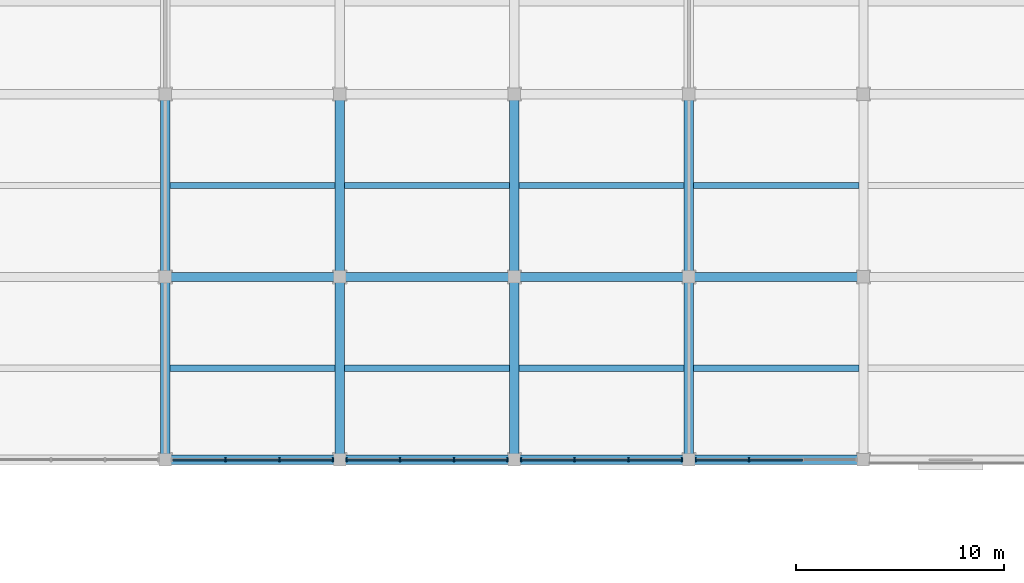
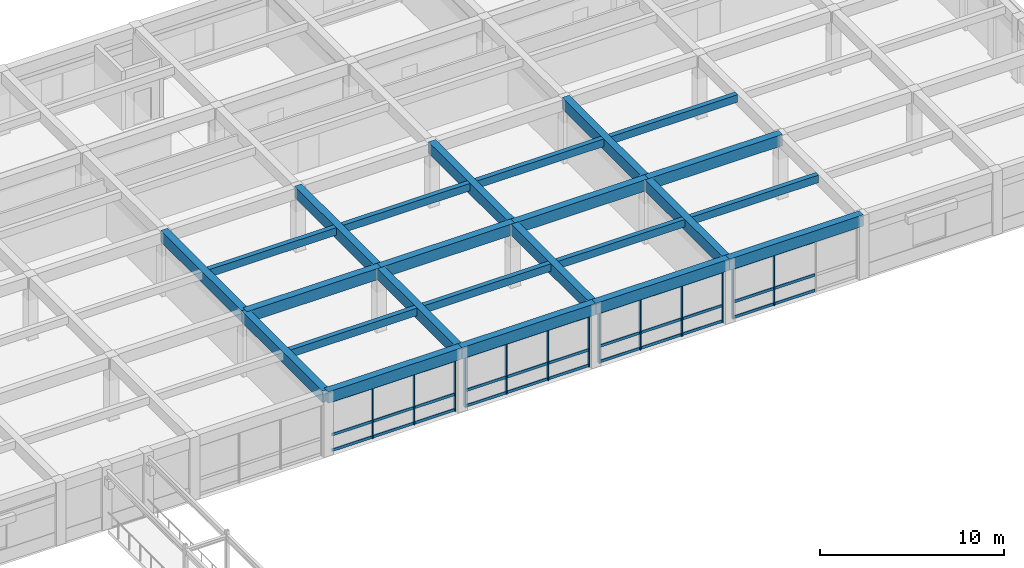
# One storey, part 18 of 57: 46 members, 24 beams, 4 elements without a shape of their own.
"""IFC4 building model written with IfcOpenShell, lengths in metres."""

from ifc_helpers import new_model, si_unit, direction, frame, origin, origin_2d, place, context, subcontext, project, spatial, rectangle, extrude, material, material_profile, profile_set, type_object, element, aggregate, save


model = new_model("IFC4")

# Units and contexts
model_context = context("Model", 3, precision=1e-05, world=origin(), true_north=direction((0.0, 1.0)))
body_context = subcontext(model_context, "Body", "Model", "MODEL_VIEW")
ifc_project = project(units=[si_unit("LENGTHUNIT", "METRE"), si_unit("AREAUNIT", "SQUARE_METRE"), si_unit("VOLUMEUNIT", "CUBIC_METRE"), si_unit("PLANEANGLEUNIT", "RADIAN"), si_unit("MASSUNIT", "GRAM", prefix="KILO")], contexts=[model_context])

# Site, building, storey
site_placement = place(None, origin())
site = spatial("IfcSite", under=ifc_project, at=site_placement, CompositionType="ELEMENT")
building_placement = place(site_placement, origin())
building = spatial("IfcBuilding", under=site, at=building_placement, Name="Kemercrest Conservatory and Botanical Centre", CompositionType="ELEMENT")
storey_placement = place(building_placement, frame((0.0, 0.0, 4.800048828125)))
storey = spatial("IfcBuildingStorey", under=building, at=storey_placement, Name="L01", CompositionType="ELEMENT", Elevation=4.800048828125)

# Beams
ifc_material_1 = material(Name="Concrete C40/50", Category="concrete")
ifc_material_profile_1 = material_profile(ifc_material_1, rectangle(XDim=0.449951171875, YDim=0.75, at=origin_2d()), Name="RC 450x750")
ifc_profile_set_1 = profile_set([ifc_material_profile_1], Name="Concrete C40/50")
beam_type_1 = type_object("IfcBeamType", Name="BM-RC75", PredefinedType="BEAM", material=ifc_profile_set_1)
for number, where, z_axis, x_axis, name in (
    (1, (41.60009765625, 96.0, 3.824951171875), (1.0, 0.0, 0.0), (0.0, 1.0, 0.0), "V3-L02 beam BM-RC75 L/05-06"),
    (2, (50.0, 96.0, 3.824951171875), (1.0, 0.0, 0.0), (0.0, 1.0, 0.0), "V3-L02 beam BM-RC75 L/06-07"),
):
    element("IfcBeam", number, at=place(storey_placement, frame(where, z_axis=z_axis, x_axis=x_axis)), inside=storey, type_object=beam_type_1, Name=name, PredefinedType="BEAM", context=body_context, shape_type="SweptSolid", body=[
        extrude(rectangle(XDim=0.449951171875, YDim=0.75, at=origin_2d()), origin(), (0.0, 0.0, 1.0), 8.39990234375),
    ])
beam_1_placement = place(storey_placement, frame((58.39990234375, 96.0, 3.824951171875), z_axis=(1.0, 0.0, 0.0), x_axis=(0.0, 1.0, 0.0)))
element("IfcBeam", 3, at=beam_1_placement, inside=storey, type_object=beam_type_1, Name="V3-L02 beam BM-RC75 L/07-08", PredefinedType="BEAM", context=body_context, shape_type="SweptSolid", body=[
    extrude(rectangle(XDim=0.449951171875, YDim=0.75, at=origin_2d()), origin(), (0.0, 0.0, 1.0), 8.400146484375),
])
beam_2_placement = place(storey_placement, frame((66.800048828125, 96.0, 3.824951171875), z_axis=(1.0, 0.0, 0.0), x_axis=(0.0, 1.0, 0.0)))
element("IfcBeam", 4, at=beam_2_placement, inside=storey, type_object=beam_type_1, Name="V3-L02 beam BM-RC75 L/08-09", PredefinedType="BEAM", context=body_context, shape_type="SweptSolid", body=[
    extrude(rectangle(XDim=0.449951171875, YDim=0.75, at=origin_2d()), origin(), (0.0, 0.0, 1.0), 8.39990234375),
])
for number, where, z_axis, x_axis, name in (
    (5, (41.60009765625, 87.199951171875, 3.824951171875), (0.0, 1.0, 0.0), (-1.0, 0.0, 0.0), "V3-L02 beam BM-RC75 05/K-L"),
    (6, (41.60009765625, 96.0, 3.824951171875), (0.0, 1.0, 0.0), (-1.0, 0.0, 0.0), "V3-L02 beam BM-RC75 05/L-M"),
    (7, (50.0, 87.199951171875, 3.824951171875), (0.0, 1.0, 0.0), (-1.0, 0.0, 0.0), "V3-L02 beam BM-RC75 06/K-L"),
    (8, (50.0, 96.0, 3.824951171875), (0.0, 1.0, 0.0), (-1.0, 0.0, 0.0), "V3-L02 beam BM-RC75 06/L-M"),
    (9, (58.39990234375, 87.199951171875, 3.824951171875), (0.0, 1.0, 0.0), (-1.0, 0.0, 0.0), "V3-L02 beam BM-RC75 07/K-L"),
    (10, (58.39990234375, 96.0, 3.824951171875), (0.0, 1.0, 0.0), (-1.0, 0.0, 0.0), "V3-L02 beam BM-RC75 07/L-M"),
    (11, (66.800048828125, 87.199951171875, 3.824951171875), (0.0, 1.0, 0.0), (-1.0, 0.0, 0.0), "V3-L02 beam BM-RC75 08/K-L"),
    (12, (66.800048828125, 96.0, 3.824951171875), (0.0, 1.0, 0.0), (-1.0, 0.0, 0.0), "V3-L02 beam BM-RC75 08/L-M"),
):
    element("IfcBeam", number, at=place(storey_placement, frame(where, z_axis=z_axis, x_axis=x_axis)), inside=storey, type_object=beam_type_1, Name=name, PredefinedType="BEAM", context=body_context, shape_type="SweptSolid", body=[
        extrude(rectangle(XDim=0.449951171875, YDim=0.75, at=origin_2d()), origin(), (0.0, 0.0, 1.0), 8.800048828125),
    ])

# Curtain wall, members
ifc_material_2 = material(Name="Thermally broken aluminium and triple low-e glazing", Category="aluminium")
curtain_wall_type_1 = type_object("IfcCurtainWallType", Name="CW-04", PredefinedType="USERDEFINED", material=ifc_material_2)
curtain_wall_1_placement = place(storey_placement, origin())
curtain_wall_1 = element("IfcCurtainWall", 13, at=curtain_wall_1_placement, inside=storey, type_object=curtain_wall_type_1, Name="Unitised curtain wall CW-04 (CW:L01:V3-033)", ObjectType="UNITISED CURTAIN WALL", PredefinedType="USERDEFINED")
ifc_material_3 = material(Name="Thermally broken anodized aluminium 6063-T6", Category="aluminium")
ifc_material_profile_2 = material_profile(ifc_material_3, rectangle(XDim=0.199951171875, YDim=0.06494140625, at=origin_2d()), Name="AL MULLION 65x200")
ifc_profile_set_2 = profile_set([ifc_material_profile_2], Name="Thermally broken anodized aluminium 6063-T6")
member_type_1 = type_object("IfcMemberType", Name="CW-M200", PredefinedType="MULLION", material=ifc_profile_set_2)
member_1_placement = place(storey_placement, frame((44.498291015625, 87.199951171875, 0.0), z_axis=(0.0, 0.0, 1.0), x_axis=(0.0, 1.0, 0.0)))
member_1 = element("IfcMember", 14, at=member_1_placement, type_object=member_type_1, Name="CW-04 mullion 2", PredefinedType="MULLION", context=body_context, shape_type="SweptSolid", body=[
    extrude(rectangle(XDim=0.199951171875, YDim=0.06494140625, at=origin_2d()), origin(), (0.0, 0.0, 1.0), 3.454833984375),
])
member_2_placement = place(storey_placement, frame((47.1015625, 87.199951171875, 0.0), z_axis=(0.0, 0.0, 1.0), x_axis=(0.0, 1.0, 0.0)))
member_2 = element("IfcMember", 15, at=member_2_placement, type_object=member_type_1, Name="CW-04 mullion 3", PredefinedType="MULLION", context=body_context, shape_type="SweptSolid", body=[
    extrude(rectangle(XDim=0.199951171875, YDim=0.06494140625, at=origin_2d()), origin(), (0.0, 0.0, 1.0), 3.454833984375),
])
member_3_placement = place(storey_placement, frame((49.672607421875, 87.199951171875, 0.0), z_axis=(0.0, 0.0, 1.0), x_axis=(0.0, 1.0, 0.0)))
member_3 = element("IfcMember", 16, at=member_3_placement, type_object=member_type_1, Name="CW-04 mullion 4", PredefinedType="MULLION", context=body_context, shape_type="SweptSolid", body=[
    extrude(rectangle(XDim=0.199951171875, YDim=0.06494140625, at=origin_2d()), origin(), (0.0, 0.0, 1.0), 3.454833984375),
])

curtain_wall_type_2 = type_object("IfcCurtainWallType", Name="CW-05", PredefinedType="USERDEFINED", material=ifc_material_2)
curtain_wall_2_placement = place(storey_placement, origin())
curtain_wall_2 = element("IfcCurtainWall", 17, at=curtain_wall_2_placement, inside=storey, type_object=curtain_wall_type_2, Name="Unitised curtain wall CW-05 (CW:L01:V3-034)", ObjectType="UNITISED CURTAIN WALL", PredefinedType="USERDEFINED")
member_4_placement = place(storey_placement, frame((50.327392578125, 87.199951171875, 0.0), z_axis=(0.0, 0.0, 1.0), x_axis=(0.0, 1.0, 0.0)))
member_4 = element("IfcMember", 18, at=member_4_placement, type_object=member_type_1, Name="CW-05 mullion 1", PredefinedType="MULLION", context=body_context, shape_type="SweptSolid", body=[
    extrude(rectangle(XDim=0.199951171875, YDim=0.06494140625, at=origin_2d()), origin(), (0.0, 0.0, 1.0), 3.454833984375),
])
member_5_placement = place(storey_placement, frame((52.8984375, 87.199951171875, 0.0), z_axis=(0.0, 0.0, 1.0), x_axis=(0.0, 1.0, 0.0)))
member_5 = element("IfcMember", 19, at=member_5_placement, type_object=member_type_1, Name="CW-05 mullion 2", PredefinedType="MULLION", context=body_context, shape_type="SweptSolid", body=[
    extrude(rectangle(XDim=0.199951171875, YDim=0.06494140625, at=origin_2d()), origin(), (0.0, 0.0, 1.0), 3.454833984375),
])
member_6_placement = place(storey_placement, frame((55.501708984375, 87.199951171875, 0.0), z_axis=(0.0, 0.0, 1.0), x_axis=(0.0, 1.0, 0.0)))
member_6 = element("IfcMember", 20, at=member_6_placement, type_object=member_type_1, Name="CW-05 mullion 3", PredefinedType="MULLION", context=body_context, shape_type="SweptSolid", body=[
    extrude(rectangle(XDim=0.199951171875, YDim=0.06494140625, at=origin_2d()), origin(), (0.0, 0.0, 1.0), 3.454833984375),
])
member_7_placement = place(storey_placement, frame((58.072509765625, 87.199951171875, 0.0), z_axis=(0.0, 0.0, 1.0), x_axis=(0.0, 1.0, 0.0)))
member_7 = element("IfcMember", 21, at=member_7_placement, type_object=member_type_1, Name="CW-05 mullion 4", PredefinedType="MULLION", context=body_context, shape_type="SweptSolid", body=[
    extrude(rectangle(XDim=0.199951171875, YDim=0.06494140625, at=origin_2d()), origin(), (0.0, 0.0, 1.0), 3.454833984375),
])

curtain_wall_type_3 = type_object("IfcCurtainWallType", Name="CW-06", PredefinedType="USERDEFINED", material=ifc_material_2)
curtain_wall_3_placement = place(storey_placement, origin())
curtain_wall_3 = element("IfcCurtainWall", 22, at=curtain_wall_3_placement, inside=storey, type_object=curtain_wall_type_3, Name="Unitised curtain wall CW-06 (CW:L01:V3-035)", ObjectType="UNITISED CURTAIN WALL", PredefinedType="USERDEFINED")
member_8_placement = place(storey_placement, frame((58.7275390625, 87.199951171875, 0.0), z_axis=(0.0, 0.0, 1.0), x_axis=(0.0, 1.0, 0.0)))
member_8 = element("IfcMember", 23, at=member_8_placement, type_object=member_type_1, Name="CW-06 mullion 1", PredefinedType="MULLION", context=body_context, shape_type="SweptSolid", body=[
    extrude(rectangle(XDim=0.199951171875, YDim=0.06494140625, at=origin_2d()), origin(), (0.0, 0.0, 1.0), 3.454833984375),
])
member_9_placement = place(storey_placement, frame((61.29833984375, 87.199951171875, 0.0), z_axis=(0.0, 0.0, 1.0), x_axis=(0.0, 1.0, 0.0)))
member_9 = element("IfcMember", 24, at=member_9_placement, type_object=member_type_1, Name="CW-06 mullion 2", PredefinedType="MULLION", context=body_context, shape_type="SweptSolid", body=[
    extrude(rectangle(XDim=0.199951171875, YDim=0.06494140625, at=origin_2d()), origin(), (0.0, 0.0, 1.0), 3.454833984375),
])
member_10_placement = place(storey_placement, frame((63.901611328125, 87.199951171875, 0.0), z_axis=(0.0, 0.0, 1.0), x_axis=(0.0, 1.0, 0.0)))
member_10 = element("IfcMember", 25, at=member_10_placement, type_object=member_type_1, Name="CW-06 mullion 3", PredefinedType="MULLION", context=body_context, shape_type="SweptSolid", body=[
    extrude(rectangle(XDim=0.199951171875, YDim=0.06494140625, at=origin_2d()), origin(), (0.0, 0.0, 1.0), 3.454833984375),
])
member_11_placement = place(storey_placement, frame((66.472412109375, 87.199951171875, 0.0), z_axis=(0.0, 0.0, 1.0), x_axis=(0.0, 1.0, 0.0)))
member_11 = element("IfcMember", 26, at=member_11_placement, type_object=member_type_1, Name="CW-06 mullion 4", PredefinedType="MULLION", context=body_context, shape_type="SweptSolid", body=[
    extrude(rectangle(XDim=0.199951171875, YDim=0.06494140625, at=origin_2d()), origin(), (0.0, 0.0, 1.0), 3.454833984375),
])

curtain_wall_type_4 = type_object("IfcCurtainWallType", Name="CW-07", PredefinedType="USERDEFINED", material=ifc_material_2)
curtain_wall_4_placement = place(storey_placement, origin())
curtain_wall_4 = element("IfcCurtainWall", 27, at=curtain_wall_4_placement, inside=storey, type_object=curtain_wall_type_4, Name="Unitised curtain wall CW-07 (CW:L01:V3-036)", ObjectType="UNITISED CURTAIN WALL", PredefinedType="USERDEFINED")
member_12_placement = place(storey_placement, frame((67.12744140625, 87.199951171875, 0.0), z_axis=(0.0, 0.0, 1.0), x_axis=(0.0, 1.0, 0.0)))
member_12 = element("IfcMember", 28, at=member_12_placement, type_object=member_type_1, Name="CW-07 mullion 1", PredefinedType="MULLION", context=body_context, shape_type="SweptSolid", body=[
    extrude(rectangle(XDim=0.199951171875, YDim=0.06494140625, at=origin_2d()), origin(), (0.0, 0.0, 1.0), 3.454833984375),
])
member_13_placement = place(storey_placement, frame((69.6982421875, 87.199951171875, 0.0), z_axis=(0.0, 0.0, 1.0), x_axis=(0.0, 1.0, 0.0)))
member_13 = element("IfcMember", 29, at=member_13_placement, type_object=member_type_1, Name="CW-07 mullion 2", PredefinedType="MULLION", context=body_context, shape_type="SweptSolid", body=[
    extrude(rectangle(XDim=0.199951171875, YDim=0.06494140625, at=origin_2d()), origin(), (0.0, 0.0, 1.0), 3.454833984375),
])

# Member
ifc_material_profile_3 = material_profile(ifc_material_3, rectangle(XDim=0.074951171875, YDim=0.179931640625, at=origin_2d()), Name="AL TRANSOM 75x180")
ifc_profile_set_3 = profile_set([ifc_material_profile_3], Name="Thermally broken anodized aluminium 6063-T6")
member_type_2 = type_object("IfcMemberType", Name="CW-T180", PredefinedType="USERDEFINED", material=ifc_profile_set_3)
member_14_placement = place(storey_placement, frame((41.9599609375, 87.199951171875, 0.08984375), z_axis=(1.0, 0.0, 0.0), x_axis=(0.0, 1.0, 0.0)))
member_14 = element("IfcMember", 30, at=member_14_placement, type_object=member_type_2, Name="CW-04 transom 1.1", ObjectType="TRANSOM", PredefinedType="USERDEFINED", context=body_context, shape_type="SweptSolid", body=[
    extrude(rectangle(XDim=0.074951171875, YDim=0.179931640625, at=origin_2d()), origin(), (0.0, 0.0, 1.0), 2.505859375),
])

member_15_placement = place(storey_placement, frame((41.9599609375, 87.199951171875, 1.119873046875), z_axis=(1.0, 0.0, 0.0), x_axis=(0.0, 1.0, 0.0)))
member_15 = element("IfcMember", 31, at=member_15_placement, type_object=member_type_2, Name="CW-04 transom 1.2", ObjectType="TRANSOM", PredefinedType="USERDEFINED", context=body_context, shape_type="SweptSolid", body=[
    extrude(rectangle(XDim=0.074951171875, YDim=0.179931640625, at=origin_2d()), origin(), (0.0, 0.0, 1.0), 2.505859375),
])

member_16_placement = place(storey_placement, frame((41.9599609375, 87.199951171875, 3.364990234375), z_axis=(1.0, 0.0, 0.0), x_axis=(0.0, 1.0, 0.0)))
member_16 = element("IfcMember", 32, at=member_16_placement, type_object=member_type_2, Name="CW-04 transom 1.3", ObjectType="TRANSOM", PredefinedType="USERDEFINED", context=body_context, shape_type="SweptSolid", body=[
    extrude(rectangle(XDim=0.074951171875, YDim=0.179931640625, at=origin_2d()), origin(), (0.0, 0.0, 1.0), 2.505859375),
])

member_17_placement = place(storey_placement, frame((44.53076171875, 87.199951171875, 0.08984375), z_axis=(1.0, 0.0, 0.0), x_axis=(0.0, 1.0, 0.0)))
member_17 = element("IfcMember", 33, at=member_17_placement, type_object=member_type_2, Name="CW-04 transom 2.1", ObjectType="TRANSOM", PredefinedType="USERDEFINED", context=body_context, shape_type="SweptSolid", body=[
    extrude(rectangle(XDim=0.074951171875, YDim=0.179931640625, at=origin_2d()), origin(), (0.0, 0.0, 1.0), 2.538330078125),
])

member_18_placement = place(storey_placement, frame((44.53076171875, 87.199951171875, 1.119873046875), z_axis=(1.0, 0.0, 0.0), x_axis=(0.0, 1.0, 0.0)))
member_18 = element("IfcMember", 34, at=member_18_placement, type_object=member_type_2, Name="CW-04 transom 2.2", ObjectType="TRANSOM", PredefinedType="USERDEFINED", context=body_context, shape_type="SweptSolid", body=[
    extrude(rectangle(XDim=0.074951171875, YDim=0.179931640625, at=origin_2d()), origin(), (0.0, 0.0, 1.0), 2.538330078125),
])

member_19_placement = place(storey_placement, frame((44.53076171875, 87.199951171875, 3.364990234375), z_axis=(1.0, 0.0, 0.0), x_axis=(0.0, 1.0, 0.0)))
member_19 = element("IfcMember", 35, at=member_19_placement, type_object=member_type_2, Name="CW-04 transom 2.3", ObjectType="TRANSOM", PredefinedType="USERDEFINED", context=body_context, shape_type="SweptSolid", body=[
    extrude(rectangle(XDim=0.074951171875, YDim=0.179931640625, at=origin_2d()), origin(), (0.0, 0.0, 1.0), 2.538330078125),
])

member_20_placement = place(storey_placement, frame((47.13427734375, 87.199951171875, 0.08984375), z_axis=(1.0, 0.0, 0.0), x_axis=(0.0, 1.0, 0.0)))
member_20 = element("IfcMember", 36, at=member_20_placement, type_object=member_type_2, Name="CW-04 transom 3.1", ObjectType="TRANSOM", PredefinedType="USERDEFINED", context=body_context, shape_type="SweptSolid", body=[
    extrude(rectangle(XDim=0.074951171875, YDim=0.179931640625, at=origin_2d()), origin(), (0.0, 0.0, 1.0), 2.505615234375),
])

member_21_placement = place(storey_placement, frame((47.13427734375, 87.199951171875, 1.119873046875), z_axis=(1.0, 0.0, 0.0), x_axis=(0.0, 1.0, 0.0)))
member_21 = element("IfcMember", 37, at=member_21_placement, type_object=member_type_2, Name="CW-04 transom 3.2", ObjectType="TRANSOM", PredefinedType="USERDEFINED", context=body_context, shape_type="SweptSolid", body=[
    extrude(rectangle(XDim=0.074951171875, YDim=0.179931640625, at=origin_2d()), origin(), (0.0, 0.0, 1.0), 2.505615234375),
])

member_22_placement = place(storey_placement, frame((47.13427734375, 87.199951171875, 3.364990234375), z_axis=(1.0, 0.0, 0.0), x_axis=(0.0, 1.0, 0.0)))
member_22 = element("IfcMember", 38, at=member_22_placement, type_object=member_type_2, Name="CW-04 transom 3.3", ObjectType="TRANSOM", PredefinedType="USERDEFINED", context=body_context, shape_type="SweptSolid", body=[
    extrude(rectangle(XDim=0.074951171875, YDim=0.179931640625, at=origin_2d()), origin(), (0.0, 0.0, 1.0), 2.505615234375),
])

aggregate(curtain_wall_1, [member_1, member_2, member_3, member_14, member_15, member_16, member_17, member_18, member_19, member_20, member_21, member_22])

member_23_placement = place(storey_placement, frame((50.360107421875, 87.199951171875, 0.08984375), z_axis=(1.0, 0.0, 0.0), x_axis=(0.0, 1.0, 0.0)))
member_23 = element("IfcMember", 39, at=member_23_placement, type_object=member_type_2, Name="CW-05 transom 1.1", ObjectType="TRANSOM", PredefinedType="USERDEFINED", context=body_context, shape_type="SweptSolid", body=[
    extrude(rectangle(XDim=0.074951171875, YDim=0.179931640625, at=origin_2d()), origin(), (0.0, 0.0, 1.0), 2.505615234375),
])

member_24_placement = place(storey_placement, frame((50.360107421875, 87.199951171875, 1.119873046875), z_axis=(1.0, 0.0, 0.0), x_axis=(0.0, 1.0, 0.0)))
member_24 = element("IfcMember", 40, at=member_24_placement, type_object=member_type_2, Name="CW-05 transom 1.2", ObjectType="TRANSOM", PredefinedType="USERDEFINED", context=body_context, shape_type="SweptSolid", body=[
    extrude(rectangle(XDim=0.074951171875, YDim=0.179931640625, at=origin_2d()), origin(), (0.0, 0.0, 1.0), 2.505615234375),
])

member_25_placement = place(storey_placement, frame((50.360107421875, 87.199951171875, 3.364990234375), z_axis=(1.0, 0.0, 0.0), x_axis=(0.0, 1.0, 0.0)))
member_25 = element("IfcMember", 41, at=member_25_placement, type_object=member_type_2, Name="CW-05 transom 1.3", ObjectType="TRANSOM", PredefinedType="USERDEFINED", context=body_context, shape_type="SweptSolid", body=[
    extrude(rectangle(XDim=0.074951171875, YDim=0.179931640625, at=origin_2d()), origin(), (0.0, 0.0, 1.0), 2.505615234375),
])

member_26_placement = place(storey_placement, frame((52.930908203125, 87.199951171875, 0.08984375), z_axis=(1.0, 0.0, 0.0), x_axis=(0.0, 1.0, 0.0)))
member_26 = element("IfcMember", 42, at=member_26_placement, type_object=member_type_2, Name="CW-05 transom 2.1", ObjectType="TRANSOM", PredefinedType="USERDEFINED", context=body_context, shape_type="SweptSolid", body=[
    extrude(rectangle(XDim=0.074951171875, YDim=0.179931640625, at=origin_2d()), origin(), (0.0, 0.0, 1.0), 2.538330078125),
])

member_27_placement = place(storey_placement, frame((52.930908203125, 87.199951171875, 1.119873046875), z_axis=(1.0, 0.0, 0.0), x_axis=(0.0, 1.0, 0.0)))
member_27 = element("IfcMember", 43, at=member_27_placement, type_object=member_type_2, Name="CW-05 transom 2.2", ObjectType="TRANSOM", PredefinedType="USERDEFINED", context=body_context, shape_type="SweptSolid", body=[
    extrude(rectangle(XDim=0.074951171875, YDim=0.179931640625, at=origin_2d()), origin(), (0.0, 0.0, 1.0), 2.538330078125),
])

member_28_placement = place(storey_placement, frame((52.930908203125, 87.199951171875, 3.364990234375), z_axis=(1.0, 0.0, 0.0), x_axis=(0.0, 1.0, 0.0)))
member_28 = element("IfcMember", 44, at=member_28_placement, type_object=member_type_2, Name="CW-05 transom 2.3", ObjectType="TRANSOM", PredefinedType="USERDEFINED", context=body_context, shape_type="SweptSolid", body=[
    extrude(rectangle(XDim=0.074951171875, YDim=0.179931640625, at=origin_2d()), origin(), (0.0, 0.0, 1.0), 2.538330078125),
])

member_29_placement = place(storey_placement, frame((55.5341796875, 87.199951171875, 0.08984375), z_axis=(1.0, 0.0, 0.0), x_axis=(0.0, 1.0, 0.0)))
member_29 = element("IfcMember", 45, at=member_29_placement, type_object=member_type_2, Name="CW-05 transom 3.1", ObjectType="TRANSOM", PredefinedType="USERDEFINED", context=body_context, shape_type="SweptSolid", body=[
    extrude(rectangle(XDim=0.074951171875, YDim=0.179931640625, at=origin_2d()), origin(), (0.0, 0.0, 1.0), 2.505859375),
])

member_30_placement = place(storey_placement, frame((55.5341796875, 87.199951171875, 1.119873046875), z_axis=(1.0, 0.0, 0.0), x_axis=(0.0, 1.0, 0.0)))
member_30 = element("IfcMember", 46, at=member_30_placement, type_object=member_type_2, Name="CW-05 transom 3.2", ObjectType="TRANSOM", PredefinedType="USERDEFINED", context=body_context, shape_type="SweptSolid", body=[
    extrude(rectangle(XDim=0.074951171875, YDim=0.179931640625, at=origin_2d()), origin(), (0.0, 0.0, 1.0), 2.505859375),
])

member_31_placement = place(storey_placement, frame((55.5341796875, 87.199951171875, 3.364990234375), z_axis=(1.0, 0.0, 0.0), x_axis=(0.0, 1.0, 0.0)))
member_31 = element("IfcMember", 47, at=member_31_placement, type_object=member_type_2, Name="CW-05 transom 3.3", ObjectType="TRANSOM", PredefinedType="USERDEFINED", context=body_context, shape_type="SweptSolid", body=[
    extrude(rectangle(XDim=0.074951171875, YDim=0.179931640625, at=origin_2d()), origin(), (0.0, 0.0, 1.0), 2.505859375),
])

aggregate(curtain_wall_2, [member_4, member_5, member_6, member_7, member_23, member_24, member_25, member_26, member_27, member_28, member_29, member_30, member_31])

member_32_placement = place(storey_placement, frame((58.760009765625, 87.199951171875, 0.08984375), z_axis=(1.0, 0.0, 0.0), x_axis=(0.0, 1.0, 0.0)))
member_32 = element("IfcMember", 48, at=member_32_placement, type_object=member_type_2, Name="CW-06 transom 1.1", ObjectType="TRANSOM", PredefinedType="USERDEFINED", context=body_context, shape_type="SweptSolid", body=[
    extrude(rectangle(XDim=0.074951171875, YDim=0.179931640625, at=origin_2d()), origin(), (0.0, 0.0, 1.0), 2.505859375),
])

member_33_placement = place(storey_placement, frame((58.760009765625, 87.199951171875, 1.119873046875), z_axis=(1.0, 0.0, 0.0), x_axis=(0.0, 1.0, 0.0)))
member_33 = element("IfcMember", 49, at=member_33_placement, type_object=member_type_2, Name="CW-06 transom 1.2", ObjectType="TRANSOM", PredefinedType="USERDEFINED", context=body_context, shape_type="SweptSolid", body=[
    extrude(rectangle(XDim=0.074951171875, YDim=0.179931640625, at=origin_2d()), origin(), (0.0, 0.0, 1.0), 2.505859375),
])

member_34_placement = place(storey_placement, frame((58.760009765625, 87.199951171875, 3.364990234375), z_axis=(1.0, 0.0, 0.0), x_axis=(0.0, 1.0, 0.0)))
member_34 = element("IfcMember", 50, at=member_34_placement, type_object=member_type_2, Name="CW-06 transom 1.3", ObjectType="TRANSOM", PredefinedType="USERDEFINED", context=body_context, shape_type="SweptSolid", body=[
    extrude(rectangle(XDim=0.074951171875, YDim=0.179931640625, at=origin_2d()), origin(), (0.0, 0.0, 1.0), 2.505859375),
])

member_35_placement = place(storey_placement, frame((61.330810546875, 87.199951171875, 0.08984375), z_axis=(1.0, 0.0, 0.0), x_axis=(0.0, 1.0, 0.0)))
member_35 = element("IfcMember", 51, at=member_35_placement, type_object=member_type_2, Name="CW-06 transom 2.1", ObjectType="TRANSOM", PredefinedType="USERDEFINED", context=body_context, shape_type="SweptSolid", body=[
    extrude(rectangle(XDim=0.074951171875, YDim=0.179931640625, at=origin_2d()), origin(), (0.0, 0.0, 1.0), 2.538330078125),
])

member_36_placement = place(storey_placement, frame((61.330810546875, 87.199951171875, 1.119873046875), z_axis=(1.0, 0.0, 0.0), x_axis=(0.0, 1.0, 0.0)))
member_36 = element("IfcMember", 52, at=member_36_placement, type_object=member_type_2, Name="CW-06 transom 2.2", ObjectType="TRANSOM", PredefinedType="USERDEFINED", context=body_context, shape_type="SweptSolid", body=[
    extrude(rectangle(XDim=0.074951171875, YDim=0.179931640625, at=origin_2d()), origin(), (0.0, 0.0, 1.0), 2.538330078125),
])

member_37_placement = place(storey_placement, frame((61.330810546875, 87.199951171875, 3.364990234375), z_axis=(1.0, 0.0, 0.0), x_axis=(0.0, 1.0, 0.0)))
member_37 = element("IfcMember", 53, at=member_37_placement, type_object=member_type_2, Name="CW-06 transom 2.3", ObjectType="TRANSOM", PredefinedType="USERDEFINED", context=body_context, shape_type="SweptSolid", body=[
    extrude(rectangle(XDim=0.074951171875, YDim=0.179931640625, at=origin_2d()), origin(), (0.0, 0.0, 1.0), 2.538330078125),
])

member_38_placement = place(storey_placement, frame((63.93408203125, 87.199951171875, 0.08984375), z_axis=(1.0, 0.0, 0.0), x_axis=(0.0, 1.0, 0.0)))
member_38 = element("IfcMember", 54, at=member_38_placement, type_object=member_type_2, Name="CW-06 transom 3.1", ObjectType="TRANSOM", PredefinedType="USERDEFINED", context=body_context, shape_type="SweptSolid", body=[
    extrude(rectangle(XDim=0.074951171875, YDim=0.179931640625, at=origin_2d()), origin(), (0.0, 0.0, 1.0), 2.505859375),
])

member_39_placement = place(storey_placement, frame((63.93408203125, 87.199951171875, 1.119873046875), z_axis=(1.0, 0.0, 0.0), x_axis=(0.0, 1.0, 0.0)))
member_39 = element("IfcMember", 55, at=member_39_placement, type_object=member_type_2, Name="CW-06 transom 3.2", ObjectType="TRANSOM", PredefinedType="USERDEFINED", context=body_context, shape_type="SweptSolid", body=[
    extrude(rectangle(XDim=0.074951171875, YDim=0.179931640625, at=origin_2d()), origin(), (0.0, 0.0, 1.0), 2.505859375),
])

member_40_placement = place(storey_placement, frame((63.93408203125, 87.199951171875, 3.364990234375), z_axis=(1.0, 0.0, 0.0), x_axis=(0.0, 1.0, 0.0)))
member_40 = element("IfcMember", 56, at=member_40_placement, type_object=member_type_2, Name="CW-06 transom 3.3", ObjectType="TRANSOM", PredefinedType="USERDEFINED", context=body_context, shape_type="SweptSolid", body=[
    extrude(rectangle(XDim=0.074951171875, YDim=0.179931640625, at=origin_2d()), origin(), (0.0, 0.0, 1.0), 2.505859375),
])

aggregate(curtain_wall_3, [member_8, member_9, member_10, member_11, member_32, member_33, member_34, member_35, member_36, member_37, member_38, member_39, member_40])

member_41_placement = place(storey_placement, frame((67.159912109375, 87.199951171875, 0.08984375), z_axis=(1.0, 0.0, 0.0), x_axis=(0.0, 1.0, 0.0)))
member_41 = element("IfcMember", 57, at=member_41_placement, type_object=member_type_2, Name="CW-07 transom 1.1", ObjectType="TRANSOM", PredefinedType="USERDEFINED", context=body_context, shape_type="SweptSolid", body=[
    extrude(rectangle(XDim=0.074951171875, YDim=0.179931640625, at=origin_2d()), origin(), (0.0, 0.0, 1.0), 2.505859375),
])

member_42_placement = place(storey_placement, frame((67.159912109375, 87.199951171875, 1.119873046875), z_axis=(1.0, 0.0, 0.0), x_axis=(0.0, 1.0, 0.0)))
member_42 = element("IfcMember", 58, at=member_42_placement, type_object=member_type_2, Name="CW-07 transom 1.2", ObjectType="TRANSOM", PredefinedType="USERDEFINED", context=body_context, shape_type="SweptSolid", body=[
    extrude(rectangle(XDim=0.074951171875, YDim=0.179931640625, at=origin_2d()), origin(), (0.0, 0.0, 1.0), 2.505859375),
])

member_43_placement = place(storey_placement, frame((67.159912109375, 87.199951171875, 3.364990234375), z_axis=(1.0, 0.0, 0.0), x_axis=(0.0, 1.0, 0.0)))
member_43 = element("IfcMember", 59, at=member_43_placement, type_object=member_type_2, Name="CW-07 transom 1.3", ObjectType="TRANSOM", PredefinedType="USERDEFINED", context=body_context, shape_type="SweptSolid", body=[
    extrude(rectangle(XDim=0.074951171875, YDim=0.179931640625, at=origin_2d()), origin(), (0.0, 0.0, 1.0), 2.505859375),
])

member_44_placement = place(storey_placement, frame((69.730712890625, 87.199951171875, 0.08984375), z_axis=(1.0, 0.0, 0.0), x_axis=(0.0, 1.0, 0.0)))
member_44 = element("IfcMember", 60, at=member_44_placement, type_object=member_type_2, Name="CW-07 transom 2.1", ObjectType="TRANSOM", PredefinedType="USERDEFINED", context=body_context, shape_type="SweptSolid", body=[
    extrude(rectangle(XDim=0.074951171875, YDim=0.179931640625, at=origin_2d()), origin(), (0.0, 0.0, 1.0), 2.53857421875),
])

member_45_placement = place(storey_placement, frame((69.730712890625, 87.199951171875, 1.119873046875), z_axis=(1.0, 0.0, 0.0), x_axis=(0.0, 1.0, 0.0)))
member_45 = element("IfcMember", 61, at=member_45_placement, type_object=member_type_2, Name="CW-07 transom 2.2", ObjectType="TRANSOM", PredefinedType="USERDEFINED", context=body_context, shape_type="SweptSolid", body=[
    extrude(rectangle(XDim=0.074951171875, YDim=0.179931640625, at=origin_2d()), origin(), (0.0, 0.0, 1.0), 2.53857421875),
])

member_46_placement = place(storey_placement, frame((69.730712890625, 87.199951171875, 3.364990234375), z_axis=(1.0, 0.0, 0.0), x_axis=(0.0, 1.0, 0.0)))
member_46 = element("IfcMember", 62, at=member_46_placement, type_object=member_type_2, Name="CW-07 transom 2.3", ObjectType="TRANSOM", PredefinedType="USERDEFINED", context=body_context, shape_type="SweptSolid", body=[
    extrude(rectangle(XDim=0.074951171875, YDim=0.179931640625, at=origin_2d()), origin(), (0.0, 0.0, 1.0), 2.53857421875),
])

aggregate(curtain_wall_4, [member_12, member_13, member_41, member_42, member_43, member_44, member_45, member_46])

# Beams
ifc_material_profile_4 = material_profile(ifc_material_1, rectangle(XDim=0.300048828125, YDim=0.5, at=origin_2d()), Name="RC 300x500")
ifc_profile_set_4 = profile_set([ifc_material_profile_4], Name="Concrete C40/50")
beam_type_2 = type_object("IfcBeamType", Name="JS-RC50", PredefinedType="JOIST", material=ifc_profile_set_4)
for number, where, z_axis, x_axis, name in (
    (63, (41.824951171875, 91.60009765625, 3.949951171875), (1.0, 0.0, 0.0), (0.0, 1.0, 0.0), "V3-L02 secondary joist JS-RC50"),
    (64, (50.22509765625, 91.60009765625, 3.949951171875), (1.0, 0.0, 0.0), (0.0, 1.0, 0.0), "V3-L02 secondary joist JS-RC50"),
    (65, (58.625, 91.60009765625, 3.949951171875), (1.0, 0.0, 0.0), (0.0, 1.0, 0.0), "V3-L02 secondary joist JS-RC50"),
):
    element("IfcBeam", number, at=place(storey_placement, frame(where, z_axis=z_axis, x_axis=x_axis)), inside=storey, type_object=beam_type_2, Name=name, PredefinedType="JOIST", context=body_context, shape_type="SweptSolid", body=[
        extrude(rectangle(XDim=0.300048828125, YDim=0.5, at=origin_2d()), origin(), (0.0, 0.0, 1.0), 7.949951171875),
    ])
beam_3_placement = place(storey_placement, frame((67.02490234375, 91.60009765625, 3.949951171875), z_axis=(1.0, 0.0, 0.0), x_axis=(0.0, 1.0, 0.0)))
element("IfcBeam", 66, at=beam_3_placement, inside=storey, type_object=beam_type_2, Name="V3-L02 secondary joist JS-RC50", PredefinedType="JOIST", context=body_context, shape_type="SweptSolid", body=[
    extrude(rectangle(XDim=0.300048828125, YDim=0.5, at=origin_2d()), origin(), (0.0, 0.0, 1.0), 7.9501953125),
])
for number, where, z_axis, x_axis, name in (
    (67, (41.824951171875, 100.39990234375, 3.949951171875), (1.0, 0.0, 0.0), (0.0, 1.0, 0.0), "V3-L02 secondary joist JS-RC50"),
    (68, (50.22509765625, 100.39990234375, 3.949951171875), (1.0, 0.0, 0.0), (0.0, 1.0, 0.0), "V3-L02 secondary joist JS-RC50"),
    (69, (58.625, 100.39990234375, 3.949951171875), (1.0, 0.0, 0.0), (0.0, 1.0, 0.0), "V3-L02 secondary joist JS-RC50"),
):
    element("IfcBeam", number, at=place(storey_placement, frame(where, z_axis=z_axis, x_axis=x_axis)), inside=storey, type_object=beam_type_2, Name=name, PredefinedType="JOIST", context=body_context, shape_type="SweptSolid", body=[
        extrude(rectangle(XDim=0.300048828125, YDim=0.5, at=origin_2d()), origin(), (0.0, 0.0, 1.0), 7.949951171875),
    ])
beam_4_placement = place(storey_placement, frame((67.02490234375, 100.39990234375, 3.949951171875), z_axis=(1.0, 0.0, 0.0), x_axis=(0.0, 1.0, 0.0)))
element("IfcBeam", 70, at=beam_4_placement, inside=storey, type_object=beam_type_2, Name="V3-L02 secondary joist JS-RC50", PredefinedType="JOIST", context=body_context, shape_type="SweptSolid", body=[
    extrude(rectangle(XDim=0.300048828125, YDim=0.5, at=origin_2d()), origin(), (0.0, 0.0, 1.0), 7.9501953125),
])
ifc_material_profile_5 = material_profile(ifc_material_1, rectangle(XDim=0.449951171875, YDim=0.75, at=origin_2d()), Name="RC 450x750")
ifc_profile_set_5 = profile_set([ifc_material_profile_5], Name="Concrete C40/50")
beam_type_3 = type_object("IfcBeamType", Name="SP-RC75", PredefinedType="SPANDREL", material=ifc_profile_set_5)
for number, where, z_axis, x_axis, name in (
    (71, (41.60009765625, 87.199951171875, 3.824951171875), (1.0, 0.0, 0.0), (0.0, 1.0, 0.0), "V3-L02 beam SP-RC75 K/05-06"),
    (72, (50.0, 87.199951171875, 3.824951171875), (1.0, 0.0, 0.0), (0.0, 1.0, 0.0), "V3-L02 beam SP-RC75 K/06-07"),
):
    element("IfcBeam", number, at=place(storey_placement, frame(where, z_axis=z_axis, x_axis=x_axis)), inside=storey, type_object=beam_type_3, Name=name, PredefinedType="SPANDREL", context=body_context, shape_type="SweptSolid", body=[
        extrude(rectangle(XDim=0.449951171875, YDim=0.75, at=origin_2d()), origin(), (0.0, 0.0, 1.0), 8.39990234375),
    ])
beam_5_placement = place(storey_placement, frame((58.39990234375, 87.199951171875, 3.824951171875), z_axis=(1.0, 0.0, 0.0), x_axis=(0.0, 1.0, 0.0)))
element("IfcBeam", 73, at=beam_5_placement, inside=storey, type_object=beam_type_3, Name="V3-L02 beam SP-RC75 K/07-08", PredefinedType="SPANDREL", context=body_context, shape_type="SweptSolid", body=[
    extrude(rectangle(XDim=0.449951171875, YDim=0.75, at=origin_2d()), origin(), (0.0, 0.0, 1.0), 8.400146484375),
])
beam_6_placement = place(storey_placement, frame((66.800048828125, 87.199951171875, 3.824951171875), z_axis=(1.0, 0.0, 0.0), x_axis=(0.0, 1.0, 0.0)))
element("IfcBeam", 74, at=beam_6_placement, inside=storey, type_object=beam_type_3, Name="V3-L02 beam SP-RC75 K/08-09", PredefinedType="SPANDREL", context=body_context, shape_type="SweptSolid", body=[
    extrude(rectangle(XDim=0.449951171875, YDim=0.75, at=origin_2d()), origin(), (0.0, 0.0, 1.0), 8.39990234375),
])

save(model, "model.ifc")
